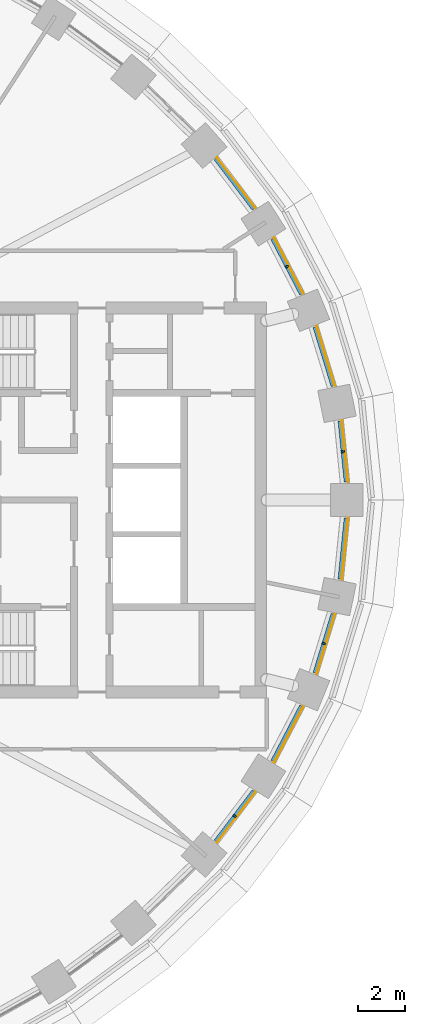
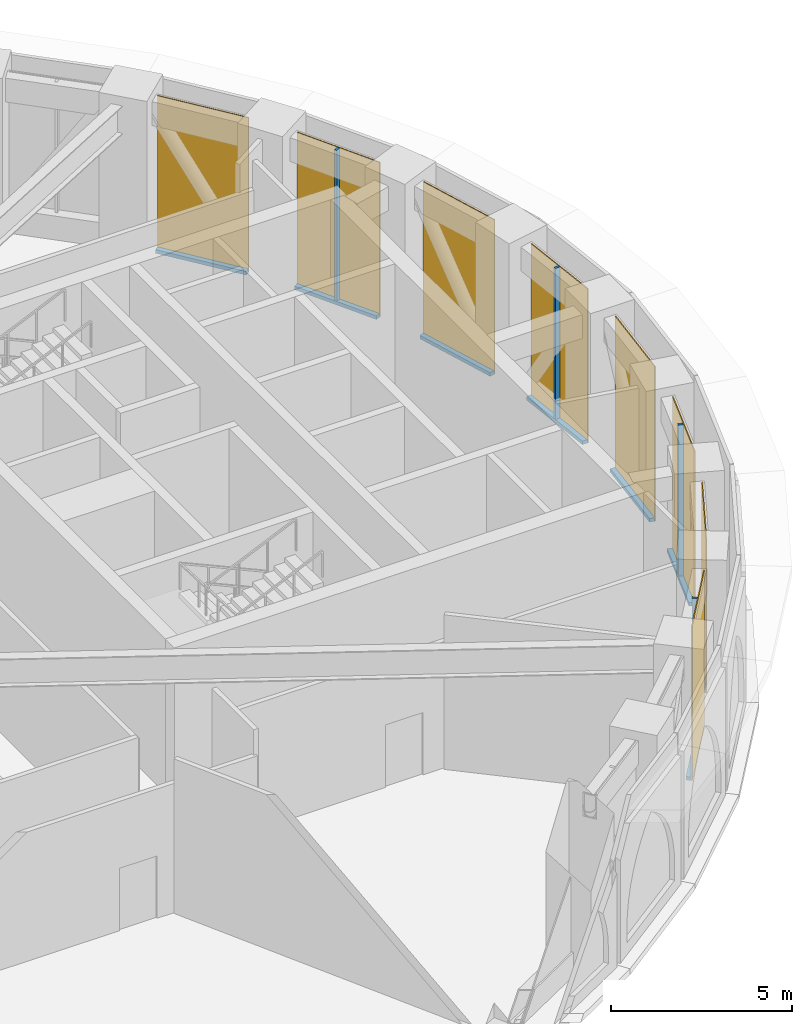
# One storey, part 19 of 25: 12 members, 8 curtain walls.
"""IFC4 building model written with IfcOpenShell, lengths in metres."""

import ifcopenshell
import ifcopenshell.guid

model = None  # the IFC model being written
_history = None  # IfcOwnerHistory: only IFC2X3 demands one
_inside = {}  # id of a spatial element -> (the spatial element, [elements in it])
_under = {}  # id of a project, library or spatial element -> (it, [spatial elements below it])
_declared = {}  # id of a project -> (the project, [libraries it declares])
_typed = {}  # id of a type object -> (the type object, [elements of that type])
_made_of = {}  # id of a material, layer set ... -> (it, [elements and type objects made of it])


def new_model(schema):
    """Start an empty IFC model of exactly this schema.

    Asked for "IFC4X3", IfcOpenShell would pick the latest addendum, in which some entities
    have other attributes; the version numbers below select the first issue.
    IFC2X3 requires an IfcOwnerHistory on every rooted entity: one is made here for all.
    """
    global model, _history
    if schema == "IFC4X3":
        model = ifcopenshell.file(schema_version=(4, 3, 0, 0))
    else:
        model = ifcopenshell.file(schema=schema)
    _inside.clear()
    _under.clear()
    _declared.clear()
    _typed.clear()
    _made_of.clear()
    _history = None
    if model.schema == "IFC2X3":
        org = make("IfcOrganization", Name="unknown")
        user = make(
            "IfcPersonAndOrganization",
            ThePerson=make("IfcPerson", FamilyName="unknown"),
            TheOrganization=org,
        )
        app = make(
            "IfcApplication",
            ApplicationDeveloper=org,
            Version="unknown",
            ApplicationFullName="unknown",
            ApplicationIdentifier="unknown",
        )
        _history = make(
            "IfcOwnerHistory",
            OwningUser=user,
            OwningApplication=app,
            ChangeAction="ADDED",
            CreationDate=0,
        )
    return model


def make(cls, **values):
    """One entity of the class cls with the attributes given. An attribute that is None is left unset."""
    return model.create_entity(
        cls, **{name: value for name, value in values.items() if value is not None}
    )


def rooted(cls, **values):
    """An entity with a GlobalId (a new one), such as an element, a storey or a relation."""
    return make(cls, GlobalId=ifcopenshell.guid.new(), OwnerHistory=_history, **values)


def si_unit(unit_type, name, prefix=None):
    """IfcSIUnit, for example si_unit("LENGTHUNIT", "METRE", prefix="MILLI")."""
    return make("IfcSIUnit", UnitType=unit_type, Prefix=prefix, Name=name)


def assignment(units):
    """IfcUnitAssignment: the units of a project."""
    return None if units is None else make("IfcUnitAssignment", Units=units)


def point(xyz):
    """IfcCartesianPoint."""
    return None if xyz is None else make("IfcCartesianPoint", Coordinates=xyz)


def direction(xyz):
    """IfcDirection."""
    return None if xyz is None else make("IfcDirection", DirectionRatios=xyz)


def frame(location, z_axis=None, x_axis=None):
    """IfcAxis2Placement3D, a coordinate frame: its origin and axes. An axis left out is left unset."""
    return make(
        "IfcAxis2Placement3D",
        Location=point(location),
        Axis=direction(z_axis),
        RefDirection=direction(x_axis),
    )


def frame_2d(location, x_axis=None):
    """IfcAxis2Placement2D, a coordinate frame in the plane: its origin and x axis."""
    return make(
        "IfcAxis2Placement2D", Location=point(location), RefDirection=direction(x_axis)
    )


def origin():
    """The frame at (0, 0, 0) with its axes left unset."""
    return frame((0.0, 0.0, 0.0))


def origin_2d():
    """The frame at (0, 0) in the plane with its x axis left unset."""
    return frame_2d((0.0, 0.0))


def place(relative_to, where):
    """IfcLocalPlacement: puts the frame where relative to a parent placement (None: the world)."""
    return make(
        "IfcLocalPlacement", PlacementRelTo=relative_to, RelativePlacement=where
    )


def context(
    kind, dimensions, precision=None, world=None, true_north=None, identifier=None
):
    """IfcGeometricRepresentationContext, for example the 3D "Model" context."""
    return make(
        "IfcGeometricRepresentationContext",
        ContextIdentifier=identifier,
        ContextType=kind,
        CoordinateSpaceDimension=dimensions,
        Precision=precision,
        WorldCoordinateSystem=world,
        TrueNorth=true_north,
    )


def subcontext(parent, identifier, kind, view, scale=None):
    """IfcGeometricRepresentationSubContext, for example "Body" below "Model"."""
    return make(
        "IfcGeometricRepresentationSubContext",
        ContextIdentifier=identifier,
        ContextType=kind,
        ParentContext=parent,
        TargetScale=scale,
        TargetView=view,
    )


def project(units=None, contexts=None):
    """IfcProject with its units and contexts."""
    return rooted(
        "IfcProject",
        Name="project",
        RepresentationContexts=contexts,
        UnitsInContext=assignment(units),
    )


def spatial(cls, under=None, at=None, **own):
    """A site, building, storey or space (cls), placed at a placement, below another one or the project."""
    s = rooted(cls, ObjectPlacement=at, **own)
    if under is not None:
        _under.setdefault(under.id(), (under, []))[1].append(s)
    return s


def polyline(points):
    """IfcPolyline through the points."""
    return make("IfcPolyline", Points=[point(p) for p in points])


def profile(cls, at=None, kind="AREA", **sizes):
    """A parametric profile (cls). Its sizes go by their IFC names, for example OverallWidth=200.0."""
    return make(cls, ProfileType=kind, Position=at, **sizes)


def rectangle(**sizes):
    """IfcRectangleProfileDef."""
    return profile("IfcRectangleProfileDef", **sizes)


def outline(outer, holes=None, kind="AREA"):
    """IfcArbitraryClosedProfileDef: a profile drawn as a closed curve; with holes, ...WithVoids."""
    if holes is None:
        return make("IfcArbitraryClosedProfileDef", ProfileType=kind, OuterCurve=outer)
    return make(
        "IfcArbitraryProfileDefWithVoids",
        ProfileType=kind,
        OuterCurve=outer,
        InnerCurves=holes,
    )


def extrude(swept, where, along, depth):
    """IfcExtrudedAreaSolid: the profile swept, set in the frame where, extruded along a direction by depth."""
    return make(
        "IfcExtrudedAreaSolid",
        SweptArea=swept,
        Position=where,
        ExtrudedDirection=direction(along),
        Depth=depth,
    )


def shape(context_of_items, identifier, shape_type, items):
    """IfcShapeRepresentation: the items that make up one representation, for example the "Body"."""
    return make(
        "IfcShapeRepresentation",
        ContextOfItems=context_of_items,
        RepresentationIdentifier=identifier,
        RepresentationType=shape_type,
        Items=items,
    )


def material(Name=None, Category=None):
    """IfcMaterial."""
    return make("IfcMaterial", Name=Name, Category=Category)


def layer(
    of_material, thickness, ventilated=None, Name=None, Category=None, Priority=None
):
    """IfcMaterialLayer: one layer of a wall or slab, of a material (None: an air gap)."""
    return make(
        "IfcMaterialLayer",
        Material=of_material,
        LayerThickness=thickness,
        IsVentilated=ventilated,
        Name=Name,
        Category=Category,
        Priority=Priority,
    )


def layer_set(layers, Name=None):
    """IfcMaterialLayerSet."""
    return make("IfcMaterialLayerSet", MaterialLayers=layers, LayerSetName=Name)


def material_profile(
    of_material, cross_section, Name=None, Category=None, Priority=None
):
    """IfcMaterialProfile: a cross section and its material."""
    return make(
        "IfcMaterialProfile",
        Name=Name,
        Material=of_material,
        Profile=cross_section,
        Priority=Priority,
        Category=Category,
    )


def profile_set(profiles, Name=None, composite=None):
    """IfcMaterialProfileSet."""
    return make(
        "IfcMaterialProfileSet",
        Name=Name,
        MaterialProfiles=profiles,
        CompositeProfile=composite,
    )


def made_of(thing, what):
    """Note that an element or type object is made of a material, layer set ...; save() writes the relation."""
    if what is not None:
        _made_of.setdefault(what.id(), (what, []))[1].append(thing)
    return thing


def type_object(cls, material=None, **own):
    """A type object (cls), such as IfcWallType, which elements share."""
    return made_of(rooted(cls, **own), material)


def element(
    cls,
    number,
    at=None,
    inside=None,
    cuts=None,
    type_object=None,
    material=None,
    context=None,
    identifier="Body",
    shape_type=None,
    held_by="IfcProductDefinitionShape",
    body=None,
    shapes=None,
    **own,
):
    """One element of the class cls, such as IfcWall. Its Tag is "e" and its number.

    at: its placement. inside: the storey or other place that contains it. cuts: it is an
    opening in that element (IfcRelVoidsElement). A single representation is given by context,
    identifier, shape_type and body (its items); several are given by shapes. held_by: the class
    of the entity that holds the representations. save() writes the other relations.
    """
    e = rooted(cls, Tag="e%d" % number, ObjectPlacement=at, **own)
    if body is not None:
        shapes = [shape(context, identifier, shape_type, body)]
    if shapes is not None:
        e.Representation = make(held_by, Representations=shapes)
    if inside is not None:
        _inside.setdefault(inside.id(), (inside, []))[1].append(e)
    if cuts is not None:
        rooted(
            "IfcRelVoidsElement", RelatingBuildingElement=cuts, RelatedOpeningElement=e
        )
    if type_object is not None:
        _typed.setdefault(type_object.id(), (type_object, []))[1].append(e)
    return made_of(e, material)


def aggregate(whole, parts):
    """IfcRelAggregates: a whole, such as a stair, and the parts it consists of."""
    return rooted("IfcRelAggregates", RelatingObject=whole, RelatedObjects=parts)


def save(model, path):
    """Write the relations noted so far, then the file.

    IfcRelAggregates (storeys below a building ...), IfcRelContainedInSpatialStructure (elements
    in a storey), IfcRelDefinesByType, IfcRelAssociatesMaterial and IfcRelDeclares: one each for
    every whole, place, type object, material and project.
    """
    for whole, parts in _under.values():
        aggregate(whole, parts)
    for where, things in _inside.values():
        rooted(
            "IfcRelContainedInSpatialStructure",
            RelatedElements=things,
            RelatingStructure=where,
        )
    for kind, things in _typed.values():
        rooted("IfcRelDefinesByType", RelatedObjects=things, RelatingType=kind)
    for what, things in _made_of.values():
        rooted("IfcRelAssociatesMaterial", RelatedObjects=things, RelatingMaterial=what)
    for by, libraries in _declared.values():
        rooted("IfcRelDeclares", RelatingContext=by, RelatedDefinitions=libraries)
    model.write(path)


model = new_model("IFC4")

# Units and contexts
model_context = context("Model", 3, precision=1e-05, world=origin(), true_north=direction((0.0, 1.0)))
body_context = subcontext(model_context, "Body", "Model", "MODEL_VIEW")
ifc_project = project(units=[si_unit("LENGTHUNIT", "METRE"), si_unit("AREAUNIT", "SQUARE_METRE"), si_unit("VOLUMEUNIT", "CUBIC_METRE"), si_unit("PLANEANGLEUNIT", "RADIAN"), si_unit("MASSUNIT", "GRAM", prefix="KILO")], contexts=[model_context])

# Member
ifc_material_1 = material(Name="Aluminium 6063-T6 black anodised", Category="aluminium")
ifc_material_profile = material_profile(ifc_material_1, rectangle(XDim=0.14990234375, YDim=0.080078125, at=origin_2d()), Name="150x80")
ifc_profile_set = profile_set([ifc_material_profile], Name="Aluminium 6063-T6 black anodised")
member_type_1 = type_object("IfcMemberType", Name="ENV-MULLION-B-150", PredefinedType="MULLION", material=ifc_profile_set)
site_placement = place(None, origin())
building_placement = place(site_placement, origin())
storey_placement = place(building_placement, frame((0.0, 0.0, 82.5)))
member_1_placement = place(storey_placement, frame((32.37353515625, 10.029541015625, 0.1201171875), z_axis=(0.0, 0.0, 1.0), x_axis=(-0.88673501754, -0.462278064231, 0.0)))
member_1 = element("IfcMember", 1, at=member_1_placement, type_object=member_type_1, Name="Mullion B chord 03", PredefinedType="MULLION", context=body_context, shape_type="SweptSolid", body=[
    extrude(rectangle(XDim=0.14990234375, YDim=0.080078125, at=origin_2d()), origin(), (0.0, 0.0, 1.0), 5.079833984375),
])

member_2_placement = place(storey_placement, frame((30.12646484375, -13.576171875, 0.1201171875), z_axis=(0.0, 0.0, 1.0), x_axis=(-0.796969018776, 0.604020184358, 0.0)))
member_2 = element("IfcMember", 2, at=member_2_placement, type_object=member_type_1, Name="Mullion B chord 43", PredefinedType="MULLION", context=body_context, shape_type="SweptSolid", body=[
    extrude(rectangle(XDim=0.14990234375, YDim=0.080078125, at=origin_2d()), origin(), (0.0, 0.0, 1.0), 5.079833984375),
])

member_3_placement = place(storey_placement, frame((33.957275390625, -6.162109375, 0.1201171875), z_axis=(0.0, 0.0, 1.0), x_axis=(-0.95636637957, 0.292170066961, 0.0)))
member_3 = element("IfcMember", 3, at=member_3_placement, type_object=member_type_1, Name="Mullion B chord 45", PredefinedType="MULLION", context=body_context, shape_type="SweptSolid", body=[
    extrude(rectangle(XDim=0.14990234375, YDim=0.080078125, at=origin_2d()), origin(), (0.0, 0.0, 1.0), 5.079833984375),
])

member_4_placement = place(storey_placement, frame((34.778564453125, 2.07958984375, 0.1201171875), z_axis=(0.0, 0.0, 1.0), x_axis=(-0.994969504864, -0.100178263068, 0.0)))
member_4 = element("IfcMember", 4, at=member_4_placement, type_object=member_type_1, Name="Mullion B chord 01", PredefinedType="MULLION", context=body_context, shape_type="SweptSolid", body=[
    extrude(rectangle(XDim=0.14990234375, YDim=0.080078125, at=origin_2d()), origin(), (0.0, 0.0, 1.0), 5.079833984375),
])

ifc_material_2 = material(Name="Aluminium 6063-T6 black anodised", Category="aluminium")
member_type_2 = type_object("IfcMemberType", Name="ENV-TRANSOM-B", PredefinedType="USERDEFINED", material=ifc_material_2)
member_5_placement = place(storey_placement, origin())
member_5 = element("IfcMember", 5, at=member_5_placement, type_object=member_type_2, Name="Transom B radial 02-03", ObjectType="TRANSOM", PredefinedType="USERDEFINED", context=body_context, shape_type="SweptSolid", body=[
    extrude(outline(polyline([(34.41943359375, 4.90576171875), (33.63720703125, 7.46630859375), (33.497802734375, 7.4091796875), (34.271728515625, 4.876220703125), (34.41943359375, 4.90576171875)])), origin(), (0.0, 0.0, 1.0), 0.1201171875),
])

member_6_placement = place(storey_placement, origin())
member_6 = element("IfcMember", 6, at=member_6_placement, type_object=member_type_2, Name="Transom B radial 03-04", ObjectType="TRANSOM", PredefinedType="USERDEFINED", context=body_context, shape_type="SweptSolid", body=[
    extrude(outline(polyline([(33.06298828125, 8.869384765625), (31.814697265625, 11.263916015625), (31.6875, 11.183349609375), (32.923583984375, 8.812255859375), (33.06298828125, 8.869384765625)])), origin(), (0.0, 0.0, 1.0), 0.1201171875),
])

member_7_placement = place(storey_placement, origin())
member_7 = element("IfcMember", 7, at=member_7_placement, type_object=member_type_2, Name="Transom B radial 04-05", ObjectType="TRANSOM", PredefinedType="USERDEFINED", context=body_context, shape_type="SweptSolid", body=[
    extrude(outline(polyline([(31.00830078125, 12.537109375), (29.361083984375, 14.710693359375), (29.248291015625, 14.61083984375), (30.881103515625, 12.456298828125), (31.00830078125, 12.537109375)])), origin(), (0.0, 0.0, 1.0), 0.1201171875),
])

member_8_placement = place(storey_placement, origin())
member_8 = element("IfcMember", 8, at=member_8_placement, type_object=member_type_2, Name="Transom B radial 43-44", ObjectType="TRANSOM", PredefinedType="USERDEFINED", context=body_context, shape_type="SweptSolid", body=[
    extrude(outline(polyline([(29.361083984375, -14.71044921875), (31.00830078125, -12.537109375), (30.881103515625, -12.45654296875), (29.248291015625, -14.610595703125), (29.361083984375, -14.71044921875)])), origin(), (0.0, 0.0, 1.0), 0.1201171875),
])

member_9_placement = place(storey_placement, origin())
member_9 = element("IfcMember", 9, at=member_9_placement, type_object=member_type_2, Name="Transom B radial 44-45", ObjectType="TRANSOM", PredefinedType="USERDEFINED", context=body_context, shape_type="SweptSolid", body=[
    extrude(outline(polyline([(31.814697265625, -11.263671875), (33.062744140625, -8.869384765625), (32.92333984375, -8.8125), (31.6875, -11.18310546875), (31.814697265625, -11.263671875)])), origin(), (0.0, 0.0, 1.0), 0.1201171875),
])

member_10_placement = place(storey_placement, origin())
member_10 = element("IfcMember", 10, at=member_10_placement, type_object=member_type_2, Name="Transom B radial 45-46", ObjectType="TRANSOM", PredefinedType="USERDEFINED", context=body_context, shape_type="SweptSolid", body=[
    extrude(outline(polyline([(33.63720703125, -7.466064453125), (34.41943359375, -4.906005859375), (34.271728515625, -4.876220703125), (33.497802734375, -7.408935546875), (33.63720703125, -7.466064453125)])), origin(), (0.0, 0.0, 1.0), 0.1201171875),
])

member_11_placement = place(storey_placement, origin())
member_11 = element("IfcMember", 11, at=member_11_placement, type_object=member_type_2, Name="Transom B radial 46-01", ObjectType="TRANSOM", PredefinedType="USERDEFINED", context=body_context, shape_type="SweptSolid", body=[
    extrude(outline(polyline([(34.7197265625, -3.41259765625), (34.986572265625, -0.7626953125), (34.835693359375, -0.7626953125), (34.572021484375, -3.3828125), (34.7197265625, -3.41259765625)])), origin(), (0.0, 0.0, 1.0), 0.1201171875),
])

member_12_placement = place(storey_placement, origin())
member_12 = element("IfcMember", 12, at=member_12_placement, type_object=member_type_2, Name="Transom B radial 01-02", ObjectType="TRANSOM", PredefinedType="USERDEFINED", context=body_context, shape_type="SweptSolid", body=[
    extrude(outline(polyline([(34.986572265625, 0.7626953125), (34.7197265625, 3.412841796875), (34.572021484375, 3.383056640625), (34.835693359375, 0.7626953125), (34.986572265625, 0.7626953125)])), origin(), (0.0, 0.0, 1.0), 0.1201171875),
])

# Site, building, storey
site = spatial("IfcSite", under=ifc_project, at=site_placement, CompositionType="ELEMENT")
building = spatial("IfcBuilding", under=site, at=building_placement, Name="Noorbagh Ring Tower", CompositionType="ELEMENT")
storey = spatial("IfcBuildingStorey", under=building, at=storey_placement, Name="L18", CompositionType="ELEMENT", Elevation=82.5)

# Curtain wall
ifc_material_3 = material(Name="Glass dark tinted laminated", Category="glass")
ifc_layer = layer(ifc_material_3, 0.031982421875)
ifc_layer_set = layer_set([ifc_layer], Name="Glass dark tinted laminated")
curtain_wall_type = type_object("IfcCurtainWallType", Name="ENV-CW-B", PredefinedType="NOTDEFINED", material=ifc_layer_set)
curtain_wall_1_placement = place(storey_placement, origin())
curtain_wall_1 = element("IfcCurtainWall", 13, at=curtain_wall_1_placement, inside=storey, type_object=curtain_wall_type, Name="Curtain wall B R02", PredefinedType="NOTDEFINED", context=body_context, shape_type="SweptSolid", body=[
    extrude(outline(polyline([(34.450927734375, 4.912109375), (33.6669921875, 7.478515625), (33.63720703125, 7.46630859375), (34.41943359375, 4.90576171875), (34.450927734375, 4.912109375)])), origin(), (0.0, 0.0, 1.0), 5.199951171875),
])

aggregate(curtain_wall_1, [member_5])

curtain_wall_2_placement = place(storey_placement, origin())
curtain_wall_2 = element("IfcCurtainWall", 14, at=curtain_wall_2_placement, inside=storey, type_object=curtain_wall_type, Name="Curtain wall B R03", PredefinedType="NOTDEFINED", context=body_context, shape_type="SweptSolid", body=[
    extrude(outline(polyline([(33.0927734375, 8.88134765625), (31.841796875, 11.281005859375), (31.814697265625, 11.263916015625), (33.06298828125, 8.869384765625), (33.0927734375, 8.88134765625)])), origin(), (0.0, 0.0, 1.0), 5.199951171875),
])

aggregate(curtain_wall_2, [member_1, member_6])

curtain_wall_3_placement = place(storey_placement, origin())
curtain_wall_3 = element("IfcCurtainWall", 15, at=curtain_wall_3_placement, inside=storey, type_object=curtain_wall_type, Name="Curtain wall B R04", PredefinedType="NOTDEFINED", context=body_context, shape_type="SweptSolid", body=[
    extrude(outline(polyline([(31.035400390625, 12.55419921875), (29.385009765625, 14.731689453125), (29.361083984375, 14.710693359375), (31.00830078125, 12.537109375), (31.035400390625, 12.55419921875)])), origin(), (0.0, 0.0, 1.0), 5.199951171875),
])

aggregate(curtain_wall_3, [member_7])

curtain_wall_4_placement = place(storey_placement, origin())
curtain_wall_4 = element("IfcCurtainWall", 16, at=curtain_wall_4_placement, inside=storey, type_object=curtain_wall_type, Name="Curtain wall B R43", PredefinedType="NOTDEFINED", context=body_context, shape_type="SweptSolid", body=[
    extrude(outline(polyline([(29.385009765625, -14.731689453125), (31.035400390625, -12.55419921875), (31.00830078125, -12.537109375), (29.361083984375, -14.71044921875), (29.385009765625, -14.731689453125)])), origin(), (0.0, 0.0, 1.0), 5.199951171875),
])

aggregate(curtain_wall_4, [member_2, member_8])

curtain_wall_5_placement = place(storey_placement, origin())
curtain_wall_5 = element("IfcCurtainWall", 17, at=curtain_wall_5_placement, inside=storey, type_object=curtain_wall_type, Name="Curtain wall B R44", PredefinedType="NOTDEFINED", context=body_context, shape_type="SweptSolid", body=[
    extrude(outline(polyline([(31.841796875, -11.28076171875), (33.092529296875, -8.881591796875), (33.062744140625, -8.869384765625), (31.814697265625, -11.263671875), (31.841796875, -11.28076171875)])), origin(), (0.0, 0.0, 1.0), 5.199951171875),
])

aggregate(curtain_wall_5, [member_9])

curtain_wall_6_placement = place(storey_placement, origin())
curtain_wall_6 = element("IfcCurtainWall", 18, at=curtain_wall_6_placement, inside=storey, type_object=curtain_wall_type, Name="Curtain wall B R45", PredefinedType="NOTDEFINED", context=body_context, shape_type="SweptSolid", body=[
    extrude(outline(polyline([(33.6669921875, -7.478271484375), (34.450927734375, -4.912109375), (34.41943359375, -4.906005859375), (33.63720703125, -7.466064453125), (33.6669921875, -7.478271484375)])), origin(), (0.0, 0.0, 1.0), 5.199951171875),
])

aggregate(curtain_wall_6, [member_3, member_10])

curtain_wall_7_placement = place(storey_placement, origin())
curtain_wall_7 = element("IfcCurtainWall", 19, at=curtain_wall_7_placement, inside=storey, type_object=curtain_wall_type, Name="Curtain wall B R46", PredefinedType="NOTDEFINED", context=body_context, shape_type="SweptSolid", body=[
    extrude(outline(polyline([(34.751220703125, -3.4189453125), (35.018798828125, -0.7626953125), (34.986572265625, -0.7626953125), (34.7197265625, -3.41259765625), (34.751220703125, -3.4189453125)])), origin(), (0.0, 0.0, 1.0), 5.199951171875),
])

aggregate(curtain_wall_7, [member_11])

curtain_wall_8_placement = place(storey_placement, origin())
curtain_wall_8 = element("IfcCurtainWall", 20, at=curtain_wall_8_placement, inside=storey, type_object=curtain_wall_type, Name="Curtain wall B R01", PredefinedType="NOTDEFINED", context=body_context, shape_type="SweptSolid", body=[
    extrude(outline(polyline([(35.018798828125, 0.7626953125), (34.751220703125, 3.419189453125), (34.7197265625, 3.412841796875), (34.986572265625, 0.7626953125), (35.018798828125, 0.7626953125)])), origin(), (0.0, 0.0, 1.0), 5.199951171875),
])

aggregate(curtain_wall_8, [member_4, member_12])

save(model, "model.ifc")
